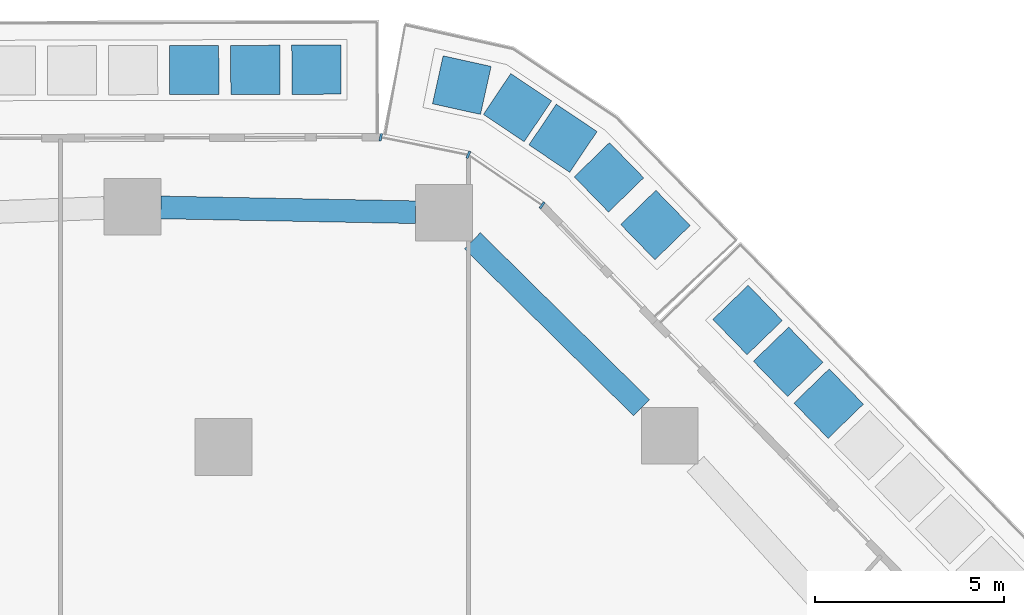
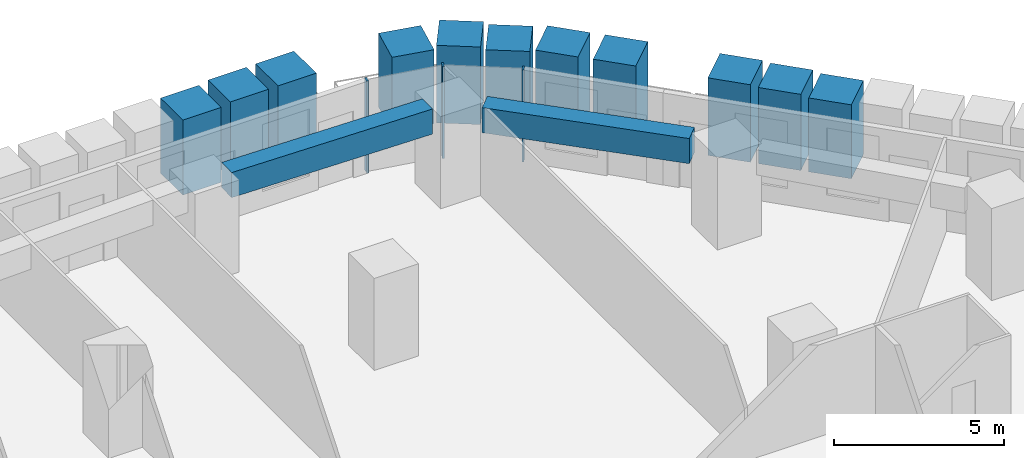
# One storey, part 10 of 27: 14 members, 2 beams, 1 element without a shape of its own.
"""IFC4 building model written with IfcOpenShell, lengths in metres."""

from ifc_helpers import new_model, si_unit, direction, frame, origin, origin_2d, place, context, subcontext, project, spatial, rectangle, extrude, material, layer, layer_set, material_profile, profile_set, type_object, element, aggregate, save


model = new_model("IFC4")

# Units and contexts
model_context = context("Model", 3, precision=1e-05, world=origin(), true_north=direction((0.0, 1.0)))
body_context = subcontext(model_context, "Body", "Model", "MODEL_VIEW")
ifc_project = project(units=[si_unit("LENGTHUNIT", "METRE"), si_unit("AREAUNIT", "SQUARE_METRE"), si_unit("VOLUMEUNIT", "CUBIC_METRE"), si_unit("PLANEANGLEUNIT", "RADIAN"), si_unit("MASSUNIT", "GRAM", prefix="KILO")], contexts=[model_context])

# Site, building, storey
site_placement = place(None, origin())
site = spatial("IfcSite", under=ifc_project, at=site_placement, CompositionType="ELEMENT")
building_placement = place(site_placement, origin())
building = spatial("IfcBuilding", under=site, at=building_placement, Name="Dongbaek Canopy Tower", CompositionType="ELEMENT")
storey_placement = place(building_placement, frame((0.0, 0.0, 58.800048828125)))
storey = spatial("IfcBuildingStorey", under=building, at=storey_placement, Name="L10", CompositionType="ELEMENT", Elevation=58.800048828125)

# Curtain wall, members
ifc_material_1 = material(Name="Aluminium 6063-T6 pale anodised", Category="aluminium")
ifc_layer = layer(ifc_material_1, 0.199951171875)
ifc_layer_set = layer_set([ifc_layer], Name="CW-1 unitised tower curtain wall")
curtain_wall_type = type_object("IfcCurtainWallType", Name="CW-1 unitised tower curtain wall", PredefinedType="NOTDEFINED", material=ifc_layer_set)
curtain_wall_placement = place(storey_placement, origin())
curtain_wall = element("IfcCurtainWall", 1, at=curtain_wall_placement, inside=storey, type_object=curtain_wall_type, Name="CW-1 curtain wall K1.1", PredefinedType="NOTDEFINED")
ifc_material_2 = material(Name="Aluminium 6063-T6 pale anodised", Category="aluminium")
ifc_material_profile_1 = material_profile(ifc_material_2, rectangle(XDim=0.199951171875, YDim=0.06005859375, at=origin_2d()), Name="CW-1 mullion 60 x 200")
ifc_profile_set_1 = profile_set([ifc_material_profile_1], Name="Aluminium 6063-T6 pale anodised")
member_type_1 = type_object("IfcMemberType", Name="CW-1 mullion 60 x 200", PredefinedType="MULLION", material=ifc_profile_set_1)
member_1_placement = place(storey_placement, frame((17.426025390625, 33.39208984375, 0.0), z_axis=(0.0, 0.0, 1.0), x_axis=(0.564668398633, 0.825317877903, 0.0)))
member_1 = element("IfcMember", 2, at=member_1_placement, type_object=member_type_1, Name="CW-1 mullion K1.1.1", PredefinedType="MULLION", context=body_context, shape_type="SweptSolid", body=[
    extrude(rectangle(XDim=0.199951171875, YDim=0.06005859375, at=origin_2d()), origin(), (0.0, 0.0, 1.0), 3.300048828125),
])
member_2_placement = place(storey_placement, frame((15.474853515625, 34.72705078125, 0.0), z_axis=(0.0, 0.0, 1.0), x_axis=(0.388619098911, 0.921398500086, 0.0)))
member_2 = element("IfcMember", 3, at=member_2_placement, type_object=member_type_1, Name="CW-1 mullion K1.1.2", PredefinedType="MULLION", context=body_context, shape_type="SweptSolid", body=[
    extrude(rectangle(XDim=0.199951171875, YDim=0.06005859375, at=origin_2d()), origin(), (0.0, 0.0, 1.0), 3.300048828125),
])
member_3_placement = place(storey_placement, frame((13.156982421875, 35.192626953125, 0.0), z_axis=(0.0, 0.0, 1.0), x_axis=(0.19693765738, 0.980416013285, 0.0)))
member_3 = element("IfcMember", 4, at=member_3_placement, type_object=member_type_1, Name="CW-1 mullion K1.1.3", PredefinedType="MULLION", context=body_context, shape_type="SweptSolid", body=[
    extrude(rectangle(XDim=0.199951171875, YDim=0.06005859375, at=origin_2d()), origin(), (0.0, 0.0, 1.0), 3.300048828125),
])
aggregate(curtain_wall, [member_1, member_2, member_3])

# Beams
ifc_material_3 = material(Name="Concrete C80", Category="concrete")
ifc_material_profile_2 = material_profile(ifc_material_3, rectangle(XDim=0.60009765625, YDim=0.89990234375, at=origin_2d()), Name="RC EDGE BEAM 600x900 C80")
ifc_profile_set_2 = profile_set([ifc_material_profile_2], Name="Concrete C80")
beam_type = type_object("IfcBeamType", Name="RC EDGE BEAM 600x900 C80", PredefinedType="BEAM", material=ifc_profile_set_2)
beam_1_placement = place(storey_placement, frame((7.339111328125, 33.3349609375, 2.849853515625), z_axis=(0.999822704828, -0.018829734762, 0.0), x_axis=(0.018829734762, 0.999822704828, 0.0)))
element("IfcBeam", 5, at=beam_1_placement, inside=storey, type_object=beam_type, Name="EDGEBEAM:L10:16", PredefinedType="BEAM", context=body_context, shape_type="SweptSolid", body=[
    extrude(rectangle(XDim=0.60009765625, YDim=0.89990234375, at=origin_2d()), origin(), (0.0, 0.0, 1.0), 6.7421875),
])
beam_2_placement = place(storey_placement, frame((15.580078125, 32.453857421875, 2.849853515625), z_axis=(0.711712436236, -0.702470930435, 0.0), x_axis=(0.702470930435, 0.711712436236, 0.0)))
element("IfcBeam", 6, at=beam_2_placement, inside=storey, type_object=beam_type, Name="EDGEBEAM:L10:17", PredefinedType="BEAM", context=body_context, shape_type="SweptSolid", body=[
    extrude(rectangle(XDim=0.60009765625, YDim=0.89990234375, at=origin_2d()), origin(), (0.0, 0.0, 1.0), 6.287353515625),
])

# Members
ifc_material_4 = material(Name="Concrete C40/50 planter mass with planting", Category="concrete")
ifc_material_profile_3 = material_profile(ifc_material_4, rectangle(XDim=1.300048828125, YDim=1.300048828125, at=origin_2d()), Name="Terrace PLANTER shrub mass 1300 x 1300")
ifc_profile_set_3 = profile_set([ifc_material_profile_3], Name="Concrete C40/50 planter mass with planting")
member_type_2 = type_object("IfcMemberType", Name="Terrace PLANTER shrub mass 1300 x 1300", PredefinedType="USERDEFINED", material=ifc_profile_set_3)
member_4_placement = place(storey_placement, frame((25.00537109375, 28.145263671875, 0.419921875), z_axis=(0.0, 0.0, 1.0), x_axis=(0.718004001298, 0.69603897457, 0.0)))
element("IfcMember", 7, at=member_4_placement, inside=storey, type_object=member_type_2, Name="Planter shrubs L10 1.8", ObjectType="PLANTER", PredefinedType="USERDEFINED", context=body_context, shape_type="SweptSolid", body=[
    extrude(rectangle(XDim=1.300048828125, YDim=1.300048828125, at=origin_2d()), origin(), (0.0, 0.0, 1.0), 2.650146484375),
])
member_5_placement = place(storey_placement, frame((23.93310546875, 29.251220703125, 0.419921875), z_axis=(0.0, 0.0, 1.0), x_axis=(0.718004001298, 0.69603897457, 0.0)))
element("IfcMember", 8, at=member_5_placement, inside=storey, type_object=member_type_2, Name="Planter shrubs L10 1.9", ObjectType="PLANTER", PredefinedType="USERDEFINED", context=body_context, shape_type="SweptSolid", body=[
    extrude(rectangle(XDim=1.300048828125, YDim=1.300048828125, at=origin_2d()), origin(), (0.0, 0.0, 1.0), 2.72998046875),
])
for number, where, z_axis, x_axis, name in (
    (9, (22.86083984375, 30.357421875, 0.419921875), (0.0, 0.0, 1.0), (0.718004001298, 0.69603897457, 0.0), "Planter shrubs L10 1.10"),
    (10, (20.4228515625, 32.869384765625, 0.419921875), (0.0, 0.0, 1.0), (0.716317815171, 0.697774166667, 0.0), "Planter shrubs L10 6.1"),
):
    element("IfcMember", number, at=place(storey_placement, frame(where, z_axis=z_axis, x_axis=x_axis)), inside=storey, type_object=member_type_2, Name=name, ObjectType="PLANTER", PredefinedType="USERDEFINED", context=body_context, shape_type="SweptSolid", body=[
        extrude(rectangle(XDim=1.300048828125, YDim=1.300048828125, at=origin_2d()), origin(), (0.0, 0.0, 1.0), 2.780029296875),
    ])
member_6_placement = place(storey_placement, frame((19.1943359375, 34.13037109375, 0.419921875), z_axis=(0.0, 0.0, 1.0), x_axis=(0.716317815171, 0.697774166667, 0.0)))
element("IfcMember", 11, at=member_6_placement, inside=storey, type_object=member_type_2, Name="Planter shrubs L10 6.2", ObjectType="PLANTER", PredefinedType="USERDEFINED", context=body_context, shape_type="SweptSolid", body=[
    extrude(rectangle(XDim=1.300048828125, YDim=1.300048828125, at=origin_2d()), origin(), (0.0, 0.0, 1.0), 2.77001953125),
])
member_7_placement = place(storey_placement, frame((17.97802734375, 35.165283203125, 0.419921875), z_axis=(0.0, 0.0, 1.0), x_axis=(0.557401353781, 0.830243175704, 0.0)))
element("IfcMember", 12, at=member_7_placement, inside=storey, type_object=member_type_2, Name="Planter shrubs L10 6.3", ObjectType="PLANTER", PredefinedType="USERDEFINED", context=body_context, shape_type="SweptSolid", body=[
    extrude(rectangle(XDim=1.300048828125, YDim=1.300048828125, at=origin_2d()), origin(), (0.0, 0.0, 1.0), 2.68994140625),
])
member_8_placement = place(storey_placement, frame((16.7734375, 35.973876953125, 0.419921875), z_axis=(0.0, 0.0, 1.0), x_axis=(0.557401353781, 0.830243175704, 0.0)))
element("IfcMember", 13, at=member_8_placement, inside=storey, type_object=member_type_2, Name="Planter shrubs L10 6.4", ObjectType="PLANTER", PredefinedType="USERDEFINED", context=body_context, shape_type="SweptSolid", body=[
    extrude(rectangle(XDim=1.300048828125, YDim=1.300048828125, at=origin_2d()), origin(), (0.0, 0.0, 1.0), 2.780029296875),
])
member_9_placement = place(storey_placement, frame((15.30126953125, 36.5703125, 0.419921875), z_axis=(0.0, 0.0, 1.0), x_axis=(0.215600594764, 0.976481635023, 0.0)))
element("IfcMember", 14, at=member_9_placement, inside=storey, type_object=member_type_2, Name="Planter shrubs L10 6.5", ObjectType="PLANTER", PredefinedType="USERDEFINED", context=body_context, shape_type="SweptSolid", body=[
    extrude(rectangle(XDim=1.300048828125, YDim=1.300048828125, at=origin_2d()), origin(), (0.0, 0.0, 1.0), 2.650146484375),
])
member_10_placement = place(storey_placement, frame((11.45458984375, 36.97802734375, 0.419921875), z_axis=(0.0, 0.0, 1.0), x_axis=(-0.002665570299, 0.999996447361, 0.0)))
element("IfcMember", 15, at=member_10_placement, inside=storey, type_object=member_type_2, Name="Planter shrubs L10 2.1", ObjectType="PLANTER", PredefinedType="USERDEFINED", context=body_context, shape_type="SweptSolid", body=[
    extrude(rectangle(XDim=1.300048828125, YDim=1.300048828125, at=origin_2d()), origin(), (0.0, 0.0, 1.0), 2.780029296875),
])
member_11_placement = place(storey_placement, frame((9.8388671875, 36.9736328125, 0.419921875), z_axis=(0.0, 0.0, 1.0), x_axis=(-0.002665570299, 0.999996447361, 0.0)))
element("IfcMember", 16, at=member_11_placement, inside=storey, type_object=member_type_2, Name="Planter shrubs L10 2.2", ObjectType="PLANTER", PredefinedType="USERDEFINED", context=body_context, shape_type="SweptSolid", body=[
    extrude(rectangle(XDim=1.300048828125, YDim=1.300048828125, at=origin_2d()), origin(), (0.0, 0.0, 1.0), 2.77001953125),
])
member_12_placement = place(storey_placement, frame((8.22314453125, 36.969482421875, 0.419921875), z_axis=(0.0, 0.0, 1.0), x_axis=(-0.002665570299, 0.999996447361, 0.0)))
element("IfcMember", 17, at=member_12_placement, inside=storey, type_object=member_type_2, Name="Planter shrubs L10 2.3", ObjectType="PLANTER", PredefinedType="USERDEFINED", context=body_context, shape_type="SweptSolid", body=[
    extrude(rectangle(XDim=1.300048828125, YDim=1.300048828125, at=origin_2d()), origin(), (0.0, 0.0, 1.0), 2.68994140625),
])

save(model, "model.ifc")
